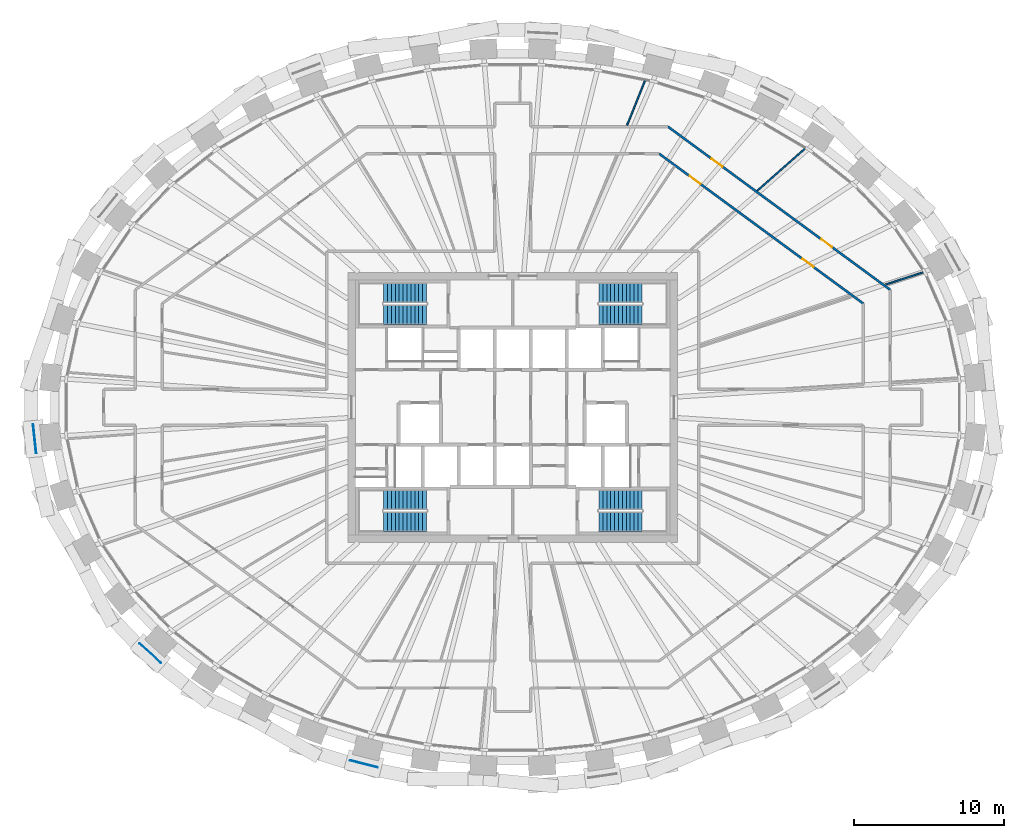
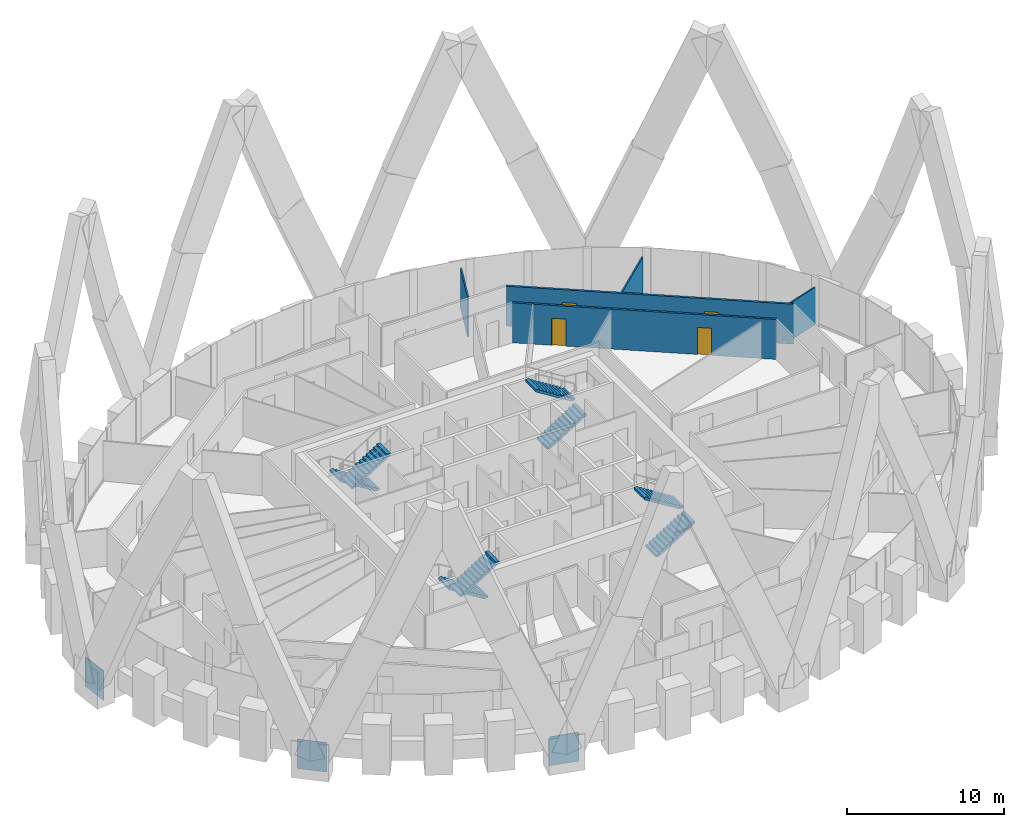
# One storey, part 12 of 14: 8 stair flights, 5 walls, 4 doors, 3 discrete accessories, 4 openings, 4 elements without a shape of their own.
"""IFC4 building model written with IfcOpenShell, lengths in metres."""

from ifc_helpers import new_model, si_unit, direction, frame, frame_2d, origin, origin_2d, place, context, subcontext, project, spatial, polyline, rectangle, outline, extrude, source, transform, mapped, material, layer, layer_set, type_object, element, fill, aggregate, save


model = new_model("IFC4")

# Units and contexts
model_context = context("Model", 3, precision=1e-05, world=origin(), true_north=direction((0.0, 1.0)))
body_context = subcontext(model_context, "Body", "Model", "MODEL_VIEW")
ifc_project = project(units=[si_unit("LENGTHUNIT", "METRE"), si_unit("AREAUNIT", "SQUARE_METRE"), si_unit("VOLUMEUNIT", "CUBIC_METRE"), si_unit("PLANEANGLEUNIT", "RADIAN"), si_unit("MASSUNIT", "GRAM", prefix="KILO")], contexts=[model_context])

# Site, building, storey
site_placement = place(None, origin())
site = spatial("IfcSite", under=ifc_project, at=site_placement, CompositionType="ELEMENT")
building_placement = place(site_placement, origin())
building = spatial("IfcBuilding", under=site, at=building_placement, Name="Embergate Tower", CompositionType="ELEMENT")
storey_placement = place(building_placement, frame((0.0, 0.0, 297.39990234375)))
storey = spatial("IfcBuildingStorey", under=building, at=storey_placement, Name="L69", CompositionType="ELEMENT", Elevation=297.39990234375)

# Wall, openings, doors
ifc_material_1 = material(Name="Corridor wall dry-lined 150")
ifc_layer_1 = layer(ifc_material_1, 0.14990234375)
ifc_layer_set_1 = layer_set([ifc_layer_1], Name="Corridor wall dry-lined 150")
wall_type_1 = type_object("IfcWallType", Name="Corridor wall dry-lined 150", PredefinedType="PARTITIONING", material=ifc_layer_set_1)
shared_shape_1 = source(origin(), body_context, "Body", "SweptSolid", [
    extrude(rectangle(XDim=18.38427734375, YDim=0.14990234375, at=frame_2d((9.192138671875, 0.0))), origin(), (0.0, 0.0, 1.0), 3.10009765625),
])
wall_1_placement = place(storey_placement, frame((25.166015625, 7.833984375, 0.0), z_axis=(0.0, 0.0, 1.0), x_axis=(-0.80612330372, 0.591747597545, 0.0)))
wall_1 = element("IfcWall", 1, at=wall_1_placement, inside=storey, type_object=wall_type_1, Name="IP-2 wall", PredefinedType="PARTITIONING", context=body_context, shape_type="MappedRepresentation", body=[
    mapped(shared_shape_1, transform((0.0, 0.0, 0.0))),
])
shared_shape_2 = source(origin(), body_context, "Body", "SweptSolid", [
    extrude(rectangle(XDim=0.89990234375, YDim=2.10009765625, at=frame_2d((0.449951171875, 1.050048828125))), frame((0.0, 0.0849609375, 0.0), z_axis=(0.0, -1.0, 0.0), x_axis=(1.0, 0.0, 0.0)), (0.0, 0.0, 1.0), 0.169921875),
])
opening_1_placement = place(wall_1_placement, frame((4.800537109375, 0.0, 0.0)))
opening_1 = element("IfcOpeningElement", 2, at=opening_1_placement, cuts=wall_1, Name="Opening IF-1c", PredefinedType="OPENING", context=body_context, shape_type="MappedRepresentation", body=[
    mapped(shared_shape_2, transform((0.0, 0.0, 0.0))),
])
opening_2_placement = place(wall_1_placement, frame((13.86767578125, 0.0, 0.0)))
opening_2 = element("IfcOpeningElement", 3, at=opening_2_placement, cuts=wall_1, Name="Opening IF-1c", PredefinedType="OPENING", context=body_context, shape_type="MappedRepresentation", body=[
    mapped(shared_shape_2, transform((0.0, 0.0, 0.0))),
])
ifc_material_2 = material(Name="Escape fire door 900")
door_type = type_object("IfcDoorType", Name="Escape fire door 900", OperationType="SINGLE_SWING_LEFT", PredefinedType="DOOR", material=ifc_material_2)
shared_shape_3 = source(origin(), body_context, "Body", "SweptSolid", [
    extrude(rectangle(XDim=0.89990234375, YDim=2.10009765625, at=frame_2d((0.449951171875, 1.050048828125))), frame((0.0, 0.02490234375, 0.0), z_axis=(0.0, -1.0, 0.0), x_axis=(1.0, 0.0, 0.0)), (0.0, 0.0, 1.0), 0.050048828125),
])
door_1_placement = place(opening_1_placement, origin())
door_1 = element("IfcDoor", 4, at=door_1_placement, inside=storey, type_object=door_type, Name="IF-1 door", OperationType="SINGLE_SWING_RIGHT", OverallHeight=2.10009765625, OverallWidth=0.89990234375, PredefinedType="DOOR", context=body_context, shape_type="MappedRepresentation", body=[
    mapped(shared_shape_3, transform((0.0, 0.0, 0.0))),
])
fill(opening_1, door_1)
door_2_placement = place(opening_2_placement, origin())
door_2 = element("IfcDoor", 5, at=door_2_placement, inside=storey, type_object=door_type, Name="IF-1 door", OperationType="SINGLE_SWING_LEFT", OverallHeight=2.10009765625, OverallWidth=0.89990234375, PredefinedType="DOOR", context=body_context, shape_type="MappedRepresentation", body=[
    mapped(shared_shape_3, transform((0.0, 0.0, 0.0))),
])
fill(opening_2, door_2)

shared_shape_4 = source(origin(), body_context, "Body", "SweptSolid", [
    extrude(rectangle(XDim=16.8828125, YDim=0.14990234375, at=frame_2d((8.44140625, 0.0))), origin(), (0.0, 0.0, 1.0), 3.10009765625),
])
wall_2_placement = place(storey_placement, frame((9.756103515625, 16.9130859375, 0.0), z_axis=(0.0, 0.0, 1.0), x_axis=(0.806138724475, -0.591726589653, 0.0)))
wall_2 = element("IfcWall", 6, at=wall_2_placement, inside=storey, type_object=wall_type_1, Name="IP-2 wall", PredefinedType="PARTITIONING", context=body_context, shape_type="MappedRepresentation", body=[
    mapped(shared_shape_4, transform((0.0, 0.0, 0.0))),
])
opening_3_placement = place(wall_2_placement, frame((11.855712890625, 0.0, 0.0)))
opening_3 = element("IfcOpeningElement", 7, at=opening_3_placement, cuts=wall_2, Name="Opening IF-1c", PredefinedType="OPENING", context=body_context, shape_type="MappedRepresentation", body=[
    mapped(shared_shape_2, transform((0.0, 0.0, 0.0))),
])
opening_4_placement = place(wall_2_placement, frame((2.535400390625, 0.0, 0.0)))
opening_4 = element("IfcOpeningElement", 8, at=opening_4_placement, cuts=wall_2, Name="Opening IF-1c", PredefinedType="OPENING", context=body_context, shape_type="MappedRepresentation", body=[
    mapped(shared_shape_2, transform((0.0, 0.0, 0.0))),
])
door_3_placement = place(opening_3_placement, origin())
door_3 = element("IfcDoor", 9, at=door_3_placement, inside=storey, type_object=door_type, Name="IF-1 door", OperationType="SINGLE_SWING_RIGHT", OverallHeight=2.10009765625, OverallWidth=0.89990234375, PredefinedType="DOOR", context=body_context, shape_type="MappedRepresentation", body=[
    mapped(shared_shape_3, transform((0.0, 0.0, 0.0))),
])
fill(opening_3, door_3)
door_4_placement = place(opening_4_placement, origin())
door_4 = element("IfcDoor", 10, at=door_4_placement, inside=storey, type_object=door_type, Name="IF-1 door", OperationType="SINGLE_SWING_LEFT", OverallHeight=2.10009765625, OverallWidth=0.89990234375, PredefinedType="DOOR", context=body_context, shape_type="MappedRepresentation", body=[
    mapped(shared_shape_3, transform((0.0, 0.0, 0.0))),
])
fill(opening_4, door_4)

# Walls
ifc_material_3 = material(Name="Partition dry-lined 100 wet")
ifc_layer_2 = layer(ifc_material_3, 0.10009765625)
ifc_layer_set_2 = layer_set([ifc_layer_2], Name="Partition dry-lined 100 wet")
wall_type_2 = type_object("IfcWallType", Name="Partition dry-lined 100 wet", PredefinedType="PLUMBINGWALL", material=ifc_layer_set_2)
shared_shape_5 = source(origin(), body_context, "Body", "SweptSolid", [
    extrude(rectangle(XDim=4.307861328125, YDim=0.10009765625, at=frame_2d((2.15380859375, 0.0))), origin(), (0.0, 0.0, 1.0), 3.0),
])
wall_3_placement = place(storey_placement, frame((16.31103515625, 14.44091796875, 0.0), z_axis=(0.0, 0.0, 1.0), x_axis=(0.748864579338, 0.662723050612, 0.0)))
element("IfcWall", 11, at=wall_3_placement, inside=storey, type_object=wall_type_2, Name="IP-1 wall", PredefinedType="PLUMBINGWALL", context=body_context, shape_type="MappedRepresentation", body=[
    mapped(shared_shape_5, transform((0.0, 0.0, 0.0))),
])
shared_shape_6 = source(origin(), body_context, "Body", "SweptSolid", [
    extrude(rectangle(XDim=3.27978515625, YDim=0.10009765625, at=frame_2d((1.639892578125, 0.0))), origin(), (0.0, 0.0, 1.0), 3.10009765625),
])
wall_4_placement = place(storey_placement, frame((7.616943359375, 18.806884765625, 0.0), z_axis=(0.0, 0.0, 1.0), x_axis=(0.375314581317, 0.92689749436, 0.0)))
element("IfcWall", 12, at=wall_4_placement, inside=storey, type_object=wall_type_2, Name="IP-1 wall", PredefinedType="PLUMBINGWALL", context=body_context, shape_type="MappedRepresentation", body=[
    mapped(shared_shape_6, transform((0.0, 0.0, 0.0))),
])
ifc_material_4 = material(Name="Partition dry-lined 100")
ifc_layer_3 = layer(ifc_material_4, 0.10009765625)
ifc_layer_set_3 = layer_set([ifc_layer_3], Name="Partition dry-lined 100")
wall_type_3 = type_object("IfcWallType", Name="Partition dry-lined 100", PredefinedType="PARTITIONING", material=ifc_layer_set_3)
shared_shape_7 = source(origin(), body_context, "Body", "SweptSolid", [
    extrude(rectangle(XDim=2.70654296875, YDim=0.10009765625, at=frame_2d((1.353271484375, 0.0))), origin(), (0.0, 0.0, 1.0), 2.900146484375),
])
wall_5_placement = place(storey_placement, frame((24.865966796875, 8.18310546875, 0.0), z_axis=(0.0, 0.0, 1.0), x_axis=(0.949902888469, 0.312545200697, 0.0)))
element("IfcWall", 13, at=wall_5_placement, inside=storey, type_object=wall_type_3, Name="IP-1 wall", PredefinedType="PARTITIONING", context=body_context, shape_type="MappedRepresentation", body=[
    mapped(shared_shape_7, transform((0.0, 0.0, 0.0))),
])

# Stair, stair flights
ifc_material_5 = material(Name="Exit stair")
stair_type = type_object("IfcStairType", Name="Exit stair", PredefinedType="HALF_TURN_STAIR", material=ifc_material_5)
stair_1_placement = place(storey_placement, origin())
stair_1 = element("IfcStair", 14, at=stair_1_placement, inside=storey, type_object=stair_type, Name="L69 Exit stair 1", PredefinedType="HALF_TURN_STAIR")
ifc_material_6 = material(Name="Concrete C40", Category="concrete")
stair_flight_type = type_object("IfcStairFlightType", Name="Stair flight reinforced concrete", PredefinedType="STRAIGHT", material=ifc_material_6)
shared_shape_8 = source(origin(), body_context, "Body", "SweptSolid", [
    extrude(outline(polyline([(0.0, 0.0), (0.0, 0.16259765625), (0.260009765625, 0.16259765625), (0.260009765625, 0.324951171875), (0.52001953125, 0.324951171875), (0.52001953125, 0.487548828125), (0.780029296875, 0.487548828125), (0.780029296875, 0.64990234375), (1.0400390625, 0.64990234375), (1.0400390625, 0.8125), (1.300048828125, 0.8125), (1.300048828125, 0.97509765625), (1.56005859375, 0.97509765625), (1.56005859375, 1.137451171875), (1.820068359375, 1.137451171875), (1.820068359375, 1.300048828125), (2.080078125, 1.300048828125), (2.080078125, 1.46240234375), (2.340087890625, 1.46240234375), (2.340087890625, 1.625), (2.60009765625, 1.625), (2.60009765625, 1.78759765625), (2.860107421875, 1.78759765625), (2.860107421875, 1.949951171875), (2.860107421875, 1.61083984375), (0.28271484375, 0.0), (0.0, 0.0)])), frame((0.0, 0.675048828125, 0.0), z_axis=(0.0, -1.0, 0.0), x_axis=(1.0, 0.0, 0.0)), (0.0, 0.0, 1.0), 1.35009765625),
])
stair_flight_1_placement = place(storey_placement, frame((-5.75, 7.625, 0.0), z_axis=(0.0, 0.0, 1.0), x_axis=(-1.0, 0.0, 0.0)))
stair_flight_1 = element("IfcStairFlight", 15, at=stair_flight_1_placement, type_object=stair_flight_type, Name="ST1 flight 1", NumberOfRisers=12, NumberOfTreads=11, PredefinedType="STRAIGHT", RiserHeight=0.1625, TreadLength=0.26, context=body_context, shape_type="MappedRepresentation", body=[
    mapped(shared_shape_8, transform((0.0, 0.0, 0.0))),
])
stair_flight_2_placement = place(storey_placement, frame((-8.610107421875, 6.175048828125, 1.9501953125), z_axis=(0.0, 0.0, 1.0), x_axis=(1.0, 0.0, 0.0)))
stair_flight_2 = element("IfcStairFlight", 16, at=stair_flight_2_placement, type_object=stair_flight_type, Name="ST1 flight 2", NumberOfRisers=12, NumberOfTreads=11, PredefinedType="STRAIGHT", RiserHeight=0.1625, TreadLength=0.26, context=body_context, shape_type="MappedRepresentation", body=[
    mapped(shared_shape_8, transform((0.0, 0.0, 0.0))),
])
aggregate(stair_1, [stair_flight_1, stair_flight_2])

stair_2_placement = place(storey_placement, origin())
stair_2 = element("IfcStair", 17, at=stair_2_placement, inside=storey, type_object=stair_type, Name="L69 Exit stair 2", PredefinedType="HALF_TURN_STAIR")
stair_flight_3_placement = place(storey_placement, frame((5.75, 6.175048828125, 0.0), z_axis=(0.0, 0.0, 1.0), x_axis=(1.0, 0.0, 0.0)))
stair_flight_3 = element("IfcStairFlight", 18, at=stair_flight_3_placement, type_object=stair_flight_type, Name="ST2 flight 1", NumberOfRisers=12, NumberOfTreads=11, PredefinedType="STRAIGHT", RiserHeight=0.1625, TreadLength=0.26, context=body_context, shape_type="MappedRepresentation", body=[
    mapped(shared_shape_8, transform((0.0, 0.0, 0.0))),
])
stair_flight_4_placement = place(storey_placement, frame((8.610107421875, 7.625, 1.9501953125), z_axis=(0.0, 0.0, 1.0), x_axis=(-1.0, 0.0, 0.0)))
stair_flight_4 = element("IfcStairFlight", 19, at=stair_flight_4_placement, type_object=stair_flight_type, Name="ST2 flight 2", NumberOfRisers=12, NumberOfTreads=11, PredefinedType="STRAIGHT", RiserHeight=0.1625, TreadLength=0.26, context=body_context, shape_type="MappedRepresentation", body=[
    mapped(shared_shape_8, transform((0.0, 0.0, 0.0))),
])
aggregate(stair_2, [stair_flight_3, stair_flight_4])

stair_3_placement = place(storey_placement, origin())
stair_3 = element("IfcStair", 20, at=stair_3_placement, inside=storey, type_object=stair_type, Name="L69 Exit stair 3", PredefinedType="HALF_TURN_STAIR")
stair_flight_5_placement = place(storey_placement, frame((-5.75, -6.175048828125, 0.0), z_axis=(0.0, 0.0, 1.0), x_axis=(-1.0, 0.0, 0.0)))
stair_flight_5 = element("IfcStairFlight", 21, at=stair_flight_5_placement, type_object=stair_flight_type, Name="ST3 flight 1", NumberOfRisers=12, NumberOfTreads=11, PredefinedType="STRAIGHT", RiserHeight=0.1625, TreadLength=0.26, context=body_context, shape_type="MappedRepresentation", body=[
    mapped(shared_shape_8, transform((0.0, 0.0, 0.0))),
])
stair_flight_6_placement = place(storey_placement, frame((-8.610107421875, -7.625, 1.9501953125), z_axis=(0.0, 0.0, 1.0), x_axis=(1.0, 0.0, 0.0)))
stair_flight_6 = element("IfcStairFlight", 22, at=stair_flight_6_placement, type_object=stair_flight_type, Name="ST3 flight 2", NumberOfRisers=12, NumberOfTreads=11, PredefinedType="STRAIGHT", RiserHeight=0.1625, TreadLength=0.26, context=body_context, shape_type="MappedRepresentation", body=[
    mapped(shared_shape_8, transform((0.0, 0.0, 0.0))),
])
aggregate(stair_3, [stair_flight_5, stair_flight_6])

stair_4_placement = place(storey_placement, origin())
stair_4 = element("IfcStair", 23, at=stair_4_placement, inside=storey, type_object=stair_type, Name="L69 Exit stair 4", PredefinedType="HALF_TURN_STAIR")
stair_flight_7_placement = place(storey_placement, frame((5.75, -7.625, 0.0), z_axis=(0.0, 0.0, 1.0), x_axis=(1.0, 0.0, 0.0)))
stair_flight_7 = element("IfcStairFlight", 24, at=stair_flight_7_placement, type_object=stair_flight_type, Name="ST4 flight 1", NumberOfRisers=12, NumberOfTreads=11, PredefinedType="STRAIGHT", RiserHeight=0.1625, TreadLength=0.26, context=body_context, shape_type="MappedRepresentation", body=[
    mapped(shared_shape_8, transform((0.0, 0.0, 0.0))),
])
stair_flight_8_placement = place(storey_placement, frame((8.610107421875, -6.175048828125, 1.9501953125), z_axis=(0.0, 0.0, 1.0), x_axis=(-1.0, 0.0, 0.0)))
stair_flight_8 = element("IfcStairFlight", 25, at=stair_flight_8_placement, type_object=stair_flight_type, Name="ST4 flight 2", NumberOfRisers=12, NumberOfTreads=11, PredefinedType="STRAIGHT", RiserHeight=0.1625, TreadLength=0.26, context=body_context, shape_type="MappedRepresentation", body=[
    mapped(shared_shape_8, transform((0.0, 0.0, 0.0))),
])
aggregate(stair_4, [stair_flight_7, stair_flight_8])

# Discrete accessories
ifc_material_7 = material(Name="Steel Q355D plate", Category="steel")
discrete_accessory_type = type_object("IfcDiscreteAccessoryType", Name="Lattice node plate", PredefinedType="USERDEFINED", material=ifc_material_7)
shared_shape_9 = source(origin(), body_context, "Body", "SweptSolid", [
    extrude(rectangle(XDim=1.9599609375, YDim=0.050048828125, at=origin_2d()), origin(), (0.0, 0.0, 1.0), 2.280029296875),
])
for number, where, z_axis, x_axis, name in (
    (26, (-31.876953125, -2.10009765625, -1.14013671875), (0.0, 0.0, 1.0), (0.106749983816, -0.99428589498, 0.0), "Node plate"),
    (27, (-24.16796875, -16.402099609375, -1.14013671875), (0.0, 0.0, 1.0), (0.743063070206, -0.669221393633, 0.0), "Node plate"),
):
    element("IfcDiscreteAccessory", number, at=place(storey_placement, frame(where, z_axis=z_axis, x_axis=x_axis)), inside=storey, type_object=discrete_accessory_type, Name=name, ObjectType="BRACKET", PredefinedType="USERDEFINED", context=body_context, shape_type="MappedRepresentation", body=[
        mapped(shared_shape_9, transform((0.0, 0.0, 0.0))),
    ])
shared_shape_10 = source(origin(), body_context, "Body", "SweptSolid", [
    extrude(rectangle(XDim=1.919921875, YDim=0.050048828125, at=origin_2d()), origin(), (0.0, 0.0, 1.0), 2.239990234375),
])
discrete_accessory_placement = place(storey_placement, frame((-9.926025390625, -23.77587890625, -1.1201171875), z_axis=(0.0, 0.0, 1.0), x_axis=(0.969140624713, -0.24650851817, 0.0)))
element("IfcDiscreteAccessory", 28, at=discrete_accessory_placement, inside=storey, type_object=discrete_accessory_type, Name="Node plate", ObjectType="BRACKET", PredefinedType="USERDEFINED", context=body_context, shape_type="MappedRepresentation", body=[
    mapped(shared_shape_10, transform((0.0, 0.0, 0.0))),
])

save(model, "model.ifc")
